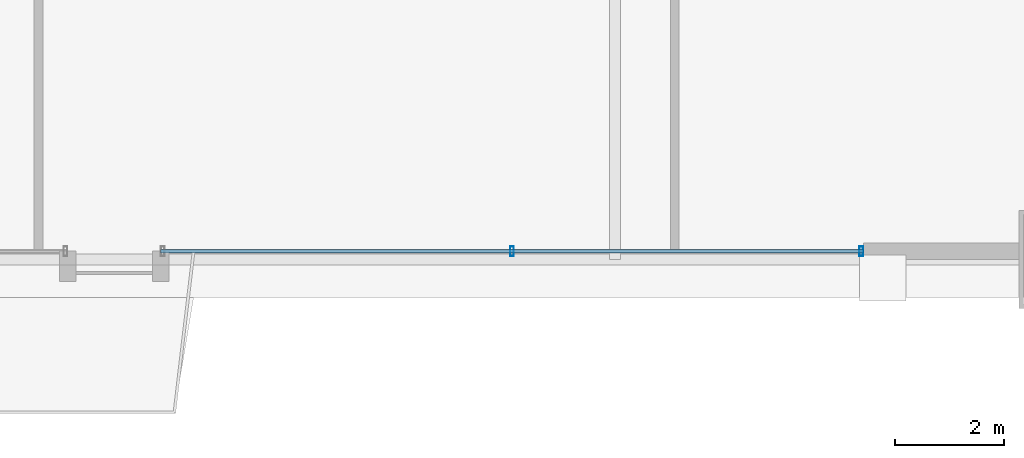
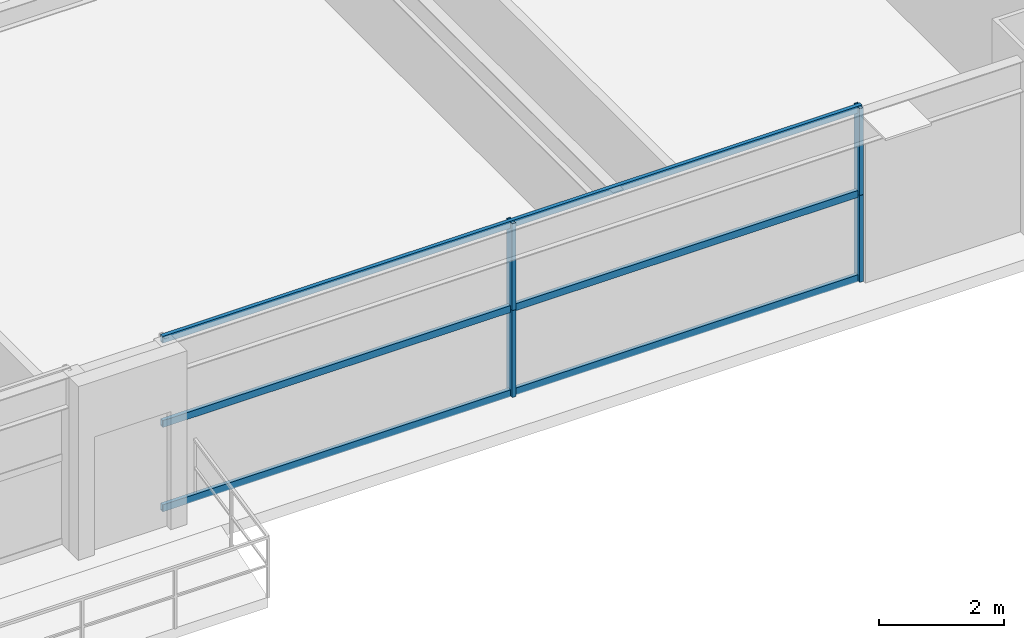
# One storey, part 15 of 43: 7 members, 1 element without a shape of its own.
"""IFC4 building model written with IfcOpenShell, lengths in metres."""

from ifc_helpers import new_model, si_unit, direction, frame, origin, origin_2d, place, context, subcontext, project, spatial, hollow_rectangle, extrude, source, transform, mapped, material, layer, layer_set, material_profile, profile_set, type_object, element, aggregate, save


model = new_model("IFC4")

# Units and contexts
model_context = context("Model", 3, precision=1e-05, world=origin(), true_north=direction((0.0, 1.0)))
body_context = subcontext(model_context, "Body", "Model", "MODEL_VIEW")
ifc_project = project(units=[si_unit("LENGTHUNIT", "METRE"), si_unit("AREAUNIT", "SQUARE_METRE"), si_unit("VOLUMEUNIT", "CUBIC_METRE"), si_unit("PLANEANGLEUNIT", "RADIAN"), si_unit("MASSUNIT", "GRAM", prefix="KILO"), si_unit("THERMODYNAMICTEMPERATUREUNIT", "KELVIN"), si_unit("POWERUNIT", "WATT")], contexts=[model_context])

# Site, building, storey
site_placement = place(None, origin())
site = spatial("IfcSite", under=ifc_project, at=site_placement, CompositionType="ELEMENT")
building_placement = place(site_placement, origin())
building = spatial("IfcBuilding", under=site, at=building_placement, Name="Yuzanri Waterfront Tower", CompositionType="ELEMENT")
storey_placement = place(building_placement, frame((0.0, 0.0, 78.39990234375)))
storey = spatial("IfcBuildingStorey", under=building, at=storey_placement, Name="L20", CompositionType="ELEMENT", Elevation=78.39990234375)

# Curtain wall, members
ifc_material_1 = material(Name="Anodized Architectural Bronze", Category="metal")
ifc_layer = layer(ifc_material_1, 0.159912109375)
ifc_layer_set = layer_set([ifc_layer], Name="Anodized Architectural Bronze")
curtain_wall_type = type_object("IfcCurtainWallType", Name="Anodized Bronze Hotel Lower-Tier Recessed Unitized Curtain Wall 8100", PredefinedType="NOTDEFINED", material=ifc_layer_set)
curtain_wall_placement = place(storey_placement, origin())
curtain_wall = element("IfcCurtainWall", 1, at=curtain_wall_placement, inside=storey, type_object=curtain_wall_type, Name="L20 Curtain Wall CW-L20-SR2", PredefinedType="NOTDEFINED")
ifc_material_2 = material(Name="Anodized Architectural Bronze", Category="metal")
ifc_material_profile_1 = material_profile(ifc_material_2, hollow_rectangle(XDim=0.070068359375, YDim=0.179931640625, WallThickness=0.00390625, at=origin_2d()), Name="CWM 70x180")
ifc_profile_set_1 = profile_set([ifc_material_profile_1], Name="Anodized Architectural Bronze")
member_type_1 = type_object("IfcMemberType", Name="Anodized Bronze Standard Curtain-Wall Mullion 70x180", PredefinedType="MULLION", material=ifc_profile_set_1)
shared_shape_1 = source(origin(), body_context, "Body", "SweptSolid", [
    extrude(hollow_rectangle(XDim=0.070068359375, YDim=0.179931640625, WallThickness=0.00390625, at=origin_2d()), origin(), (0.0, 0.0, 1.0), 1.68798828125),
])
member_1_placement = place(storey_placement, frame((48.31591796875, 0.85009765625, 0.0), z_axis=(0.0, 0.0, 1.0), x_axis=(1.0, 0.0, 0.0)))
member_1 = element("IfcMember", 2, at=member_1_placement, type_object=member_type_1, Name="CW-L20-SR2 Lower Mullion 01", PredefinedType="MULLION", context=body_context, shape_type="MappedRepresentation", body=[
    mapped(shared_shape_1, transform((0.0, 0.0, 0.0), scale=1.0)),
])
member_2_placement = place(storey_placement, frame((48.31591796875, 0.85009765625, 1.692138671875), z_axis=(0.0, 0.0, 1.0), x_axis=(1.0, 0.0, 0.0)))
member_2 = element("IfcMember", 3, at=member_2_placement, type_object=member_type_1, Name="CW-L20-SR2 Upper Mullion 01", PredefinedType="MULLION", context=body_context, shape_type="MappedRepresentation", body=[
    mapped(shared_shape_1, transform((0.0, 0.0, 0.0), scale=1.0)),
])
member_3_placement = place(storey_placement, frame((54.7099609375, 0.85009765625, 0.0), z_axis=(0.0, 0.0, 1.0), x_axis=(1.0, 0.0, 0.0)))
member_3 = element("IfcMember", 4, at=member_3_placement, type_object=member_type_1, Name="CW-L20-SR2 Lower Mullion 02", PredefinedType="MULLION", context=body_context, shape_type="MappedRepresentation", body=[
    mapped(shared_shape_1, transform((0.0, 0.0, 0.0), scale=1.0)),
])
member_4_placement = place(storey_placement, frame((54.7099609375, 0.85009765625, 1.692138671875), z_axis=(0.0, 0.0, 1.0), x_axis=(1.0, 0.0, 0.0)))
member_4 = element("IfcMember", 5, at=member_4_placement, type_object=member_type_1, Name="CW-L20-SR2 Upper Mullion 02", PredefinedType="MULLION", context=body_context, shape_type="MappedRepresentation", body=[
    mapped(shared_shape_1, transform((0.0, 0.0, 0.0), scale=1.0)),
])
ifc_material_3 = material(Name="Anodized Architectural Bronze", Category="metal")
ifc_material_profile_2 = material_profile(ifc_material_3, hollow_rectangle(XDim=0.070068359375, YDim=0.135009765625, WallThickness=0.00341796875, at=origin_2d()), Name="CWT 70x135")
ifc_profile_set_2 = profile_set([ifc_material_profile_2], Name="Anodized Architectural Bronze")
member_type_2 = type_object("IfcMemberType", Name="Anodized Bronze Standard Curtain-Wall Transom 70x135", PredefinedType="USERDEFINED", material=ifc_profile_set_2)
shared_shape_2 = source(origin(), body_context, "Body", "SweptSolid", [
    extrude(hollow_rectangle(XDim=0.070068359375, YDim=0.135009765625, WallThickness=0.00341796875, at=origin_2d()), origin(), (0.0, 0.0, 1.0), 12.867919921875),
])
member_5_placement = place(storey_placement, frame((41.882080078125, 0.85009765625, 0.050048828125), z_axis=(1.0, 0.0, 0.0), x_axis=(0.0, 1.0, 0.0)))
member_5 = element("IfcMember", 6, at=member_5_placement, type_object=member_type_2, Name="CW-L20-SR2 Transom 1", ObjectType="TRANSOM", PredefinedType="USERDEFINED", context=body_context, shape_type="MappedRepresentation", body=[
    mapped(shared_shape_2, transform((0.0, 0.0, 0.0), scale=1.0)),
])
member_6_placement = place(storey_placement, frame((41.882080078125, 0.85009765625, 1.690185546875), z_axis=(1.0, 0.0, 0.0), x_axis=(0.0, 1.0, 0.0)))
member_6 = element("IfcMember", 7, at=member_6_placement, type_object=member_type_2, Name="CW-L20-SR2 Transom 2", ObjectType="TRANSOM", PredefinedType="USERDEFINED", context=body_context, shape_type="MappedRepresentation", body=[
    mapped(shared_shape_2, transform((0.0, 0.0, 0.0), scale=1.0)),
])
member_7_placement = place(storey_placement, frame((41.882080078125, 0.85009765625, 3.330078125), z_axis=(1.0, 0.0, 0.0), x_axis=(0.0, 1.0, 0.0)))
member_7 = element("IfcMember", 8, at=member_7_placement, type_object=member_type_2, Name="CW-L20-SR2 Transom 3", ObjectType="TRANSOM", PredefinedType="USERDEFINED", context=body_context, shape_type="MappedRepresentation", body=[
    mapped(shared_shape_2, transform((0.0, 0.0, 0.0), scale=1.0)),
])
aggregate(curtain_wall, [member_1, member_2, member_3, member_4, member_5, member_6, member_7])

save(model, "model.ifc")
